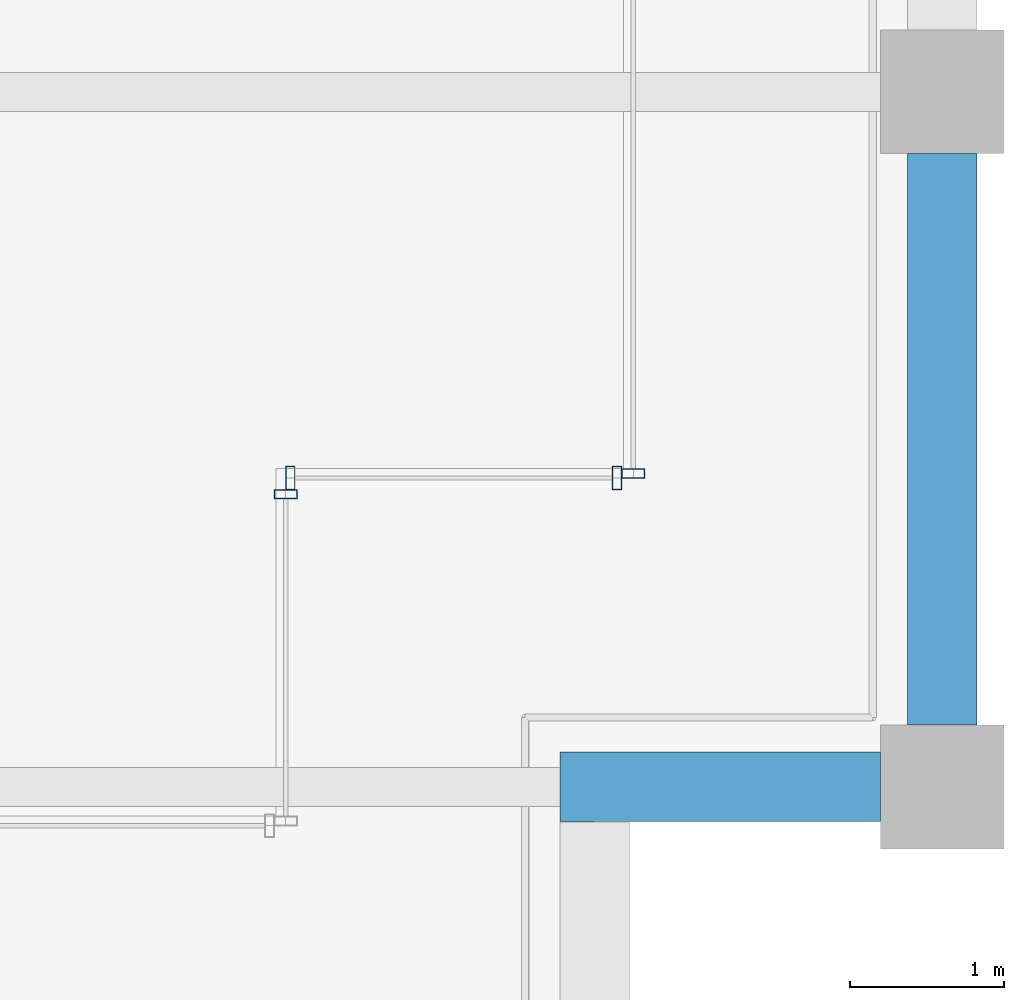
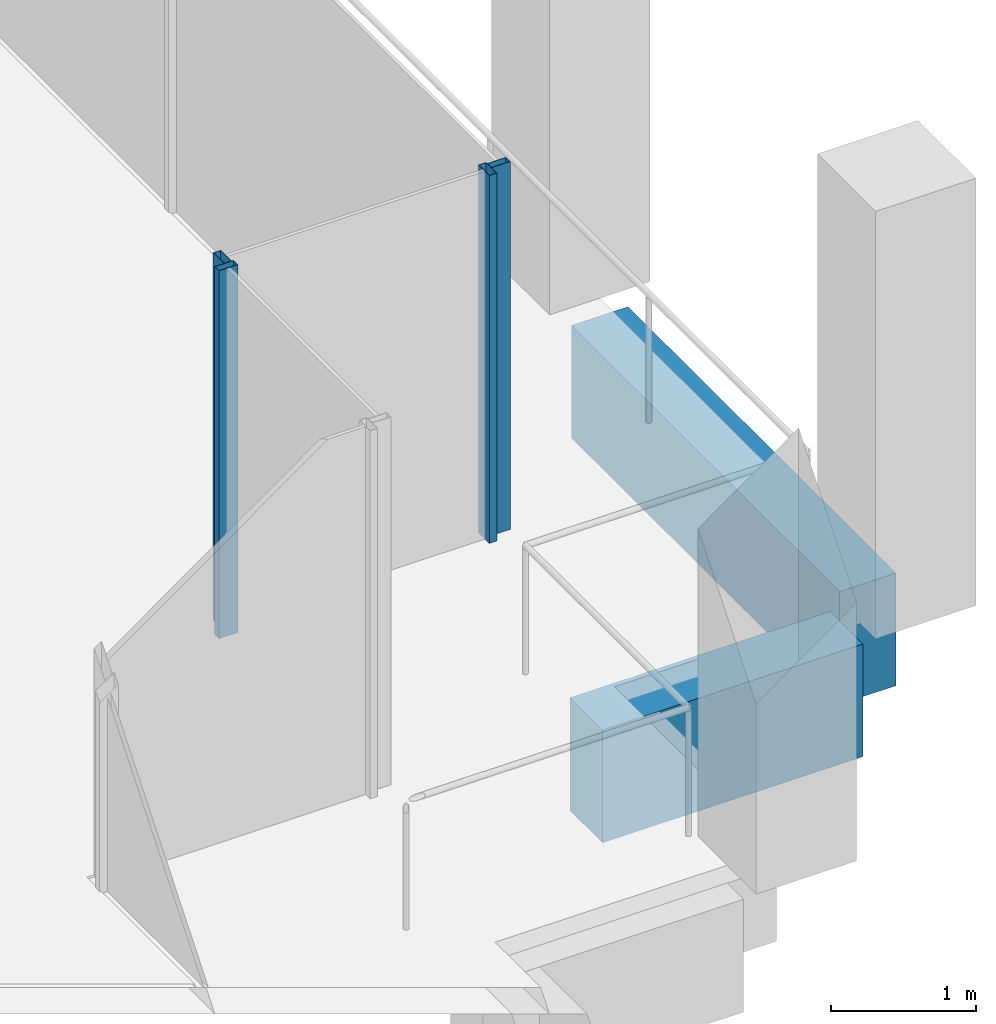
# One storey, part 13 of 30: 4 members, 2 beams, 3 elements without a shape of their own.
"""IFC4 building model written with IfcOpenShell, lengths in metres."""

from ifc_helpers import new_model, si_unit, direction, frame, origin, origin_2d, place, context, subcontext, project, spatial, rectangle, hollow_rectangle, extrude, material, material_profile, profile_set, type_object, element, aggregate, save


model = new_model("IFC4")

# Units and contexts
model_context = context("Model", 3, precision=1e-05, world=origin(), true_north=direction((0.0, 1.0)))
body_context = subcontext(model_context, "Body", "Model", "MODEL_VIEW")
ifc_project = project(units=[si_unit("LENGTHUNIT", "METRE"), si_unit("AREAUNIT", "SQUARE_METRE"), si_unit("VOLUMEUNIT", "CUBIC_METRE"), si_unit("PLANEANGLEUNIT", "RADIAN"), si_unit("MASSUNIT", "GRAM", prefix="KILO")], contexts=[model_context])

# Site, building, storey
site_placement = place(None, origin())
site = spatial("IfcSite", under=ifc_project, at=site_placement, CompositionType="ELEMENT")
building_placement = place(site_placement, origin())
building = spatial("IfcBuilding", under=site, at=building_placement, Name="Altepetl Exchange Towers", CompositionType="ELEMENT")
storey_placement = place(building_placement, frame((0.0, 0.0, 228.0)))
storey = spatial("IfcBuildingStorey", under=building, at=storey_placement, Name="L58", CompositionType="ELEMENT", Elevation=228.0)

# Curtain wall, member
ifc_material_1 = material(Name="Aluminium 6063-T6 glazing", Category="aluminium")
curtain_wall_type = type_object("IfcCurtainWallType", Name="Loggia glazing system", PredefinedType="NOTDEFINED", material=ifc_material_1)
curtain_wall_1_placement = place(storey_placement, origin())
curtain_wall_1 = element("IfcCurtainWall", 1, at=curtain_wall_1_placement, inside=storey, type_object=curtain_wall_type, Name="CW1 run", PredefinedType="NOTDEFINED")
ifc_material_2 = material(Name="Aluminium 6063-T6", Category="aluminium")
ifc_material_profile_1 = material_profile(ifc_material_2, hollow_rectangle(XDim=0.06005859375, YDim=0.14990234375, WallThickness=0.0029296875, at=origin_2d()), Name="Mullion 60x150 aluminium")
ifc_profile_set_1 = profile_set([ifc_material_profile_1], Name="Aluminium 6063-T6")
member_type = type_object("IfcMemberType", Name="Mullion 60x150 aluminium", PredefinedType="MULLION", material=ifc_profile_set_1)
member_1_placement = place(storey_placement, frame((67.75, 33.39501953125, 0.0), z_axis=(0.0, 0.0, 1.0), x_axis=(0.0, 1.0, 0.0)))
member_1 = element("IfcMember", 2, at=member_1_placement, type_object=member_type, Name="MU1 mullion", PredefinedType="MULLION", context=body_context, shape_type="SweptSolid", body=[
    extrude(hollow_rectangle(XDim=0.06005859375, YDim=0.14990234375, WallThickness=0.0029296875, at=origin_2d()), origin(), (0.0, 0.0, 1.0), 3.10009765625),
])
aggregate(curtain_wall_1, [member_1])

# Curtain wall, members
curtain_wall_2_placement = place(storey_placement, origin())
curtain_wall_2 = element("IfcCurtainWall", 3, at=curtain_wall_2_placement, inside=storey, type_object=curtain_wall_type, Name="CW1 run", PredefinedType="NOTDEFINED")
member_2_placement = place(storey_placement, frame((67.780029296875, 33.5, 0.0)))
member_2 = element("IfcMember", 4, at=member_2_placement, type_object=member_type, Name="MU1 mullion", PredefinedType="MULLION", context=body_context, shape_type="SweptSolid", body=[
    extrude(hollow_rectangle(XDim=0.06005859375, YDim=0.14990234375, WallThickness=0.0029296875, at=origin_2d()), origin(), (0.0, 0.0, 1.0), 3.10009765625),
])
member_3_placement = place(storey_placement, frame((69.89501953125, 33.5, 0.0)))
member_3 = element("IfcMember", 5, at=member_3_placement, type_object=member_type, Name="MU1 mullion", PredefinedType="MULLION", context=body_context, shape_type="SweptSolid", body=[
    extrude(hollow_rectangle(XDim=0.06005859375, YDim=0.14990234375, WallThickness=0.0029296875, at=origin_2d()), origin(), (0.0, 0.0, 1.0), 3.10009765625),
])
aggregate(curtain_wall_2, [member_2, member_3])

# Curtain wall, member
curtain_wall_3_placement = place(storey_placement, origin())
curtain_wall_3 = element("IfcCurtainWall", 6, at=curtain_wall_3_placement, inside=storey, type_object=curtain_wall_type, Name="CW1 run", PredefinedType="NOTDEFINED")
member_4_placement = place(storey_placement, frame((70.0, 33.530029296875, 0.0), z_axis=(0.0, 0.0, 1.0), x_axis=(0.0, 1.0, 0.0)))
member_4 = element("IfcMember", 7, at=member_4_placement, type_object=member_type, Name="MU1 mullion", PredefinedType="MULLION", context=body_context, shape_type="SweptSolid", body=[
    extrude(hollow_rectangle(XDim=0.06005859375, YDim=0.14990234375, WallThickness=0.0029296875, at=origin_2d()), origin(), (0.0, 0.0, 1.0), 3.10009765625),
])
aggregate(curtain_wall_3, [member_4])

# Beams
ifc_material_3 = material(Name="Concrete C50/60 precast with cantera amarilla facing", Category="concrete")
ifc_material_profile_2 = material_profile(ifc_material_3, rectangle(XDim=0.449951171875, YDim=0.949951171875, at=origin_2d()), Name="450 x 950")
ifc_profile_set_2 = profile_set([ifc_material_profile_2], Name="Concrete C50/60 precast with cantera amarilla facing")
beam_type = type_object("IfcBeamType", Name="Spandrel beam 450x950 cantera amarilla", PredefinedType="SPANDREL", material=ifc_profile_set_2)
beam_1_placement = place(storey_placement, frame((69.52490234375, 31.5, -0.625), z_axis=(1.0, 0.0, 0.0), x_axis=(0.0, 1.0, 0.0)))
element("IfcBeam", 8, at=beam_1_placement, inside=storey, type_object=beam_type, Name="sp:A:L58:011", PredefinedType="SPANDREL", context=body_context, shape_type="SweptSolid", body=[
    extrude(rectangle(XDim=0.449951171875, YDim=0.949951171875, at=origin_2d()), origin(), (0.0, 0.0, 1.0), 2.0751953125),
])
beam_2_placement = place(storey_placement, frame((72.0, 31.89990234375, -0.625), z_axis=(0.0, 1.0, 0.0), x_axis=(-1.0, 0.0, 0.0)))
element("IfcBeam", 9, at=beam_2_placement, inside=storey, type_object=beam_type, Name="sp:A:L58:012", PredefinedType="SPANDREL", context=body_context, shape_type="SweptSolid", body=[
    extrude(rectangle(XDim=0.449951171875, YDim=0.949951171875, at=origin_2d()), origin(), (0.0, 0.0, 1.0), 3.7001953125),
])

save(model, "model.ifc")
